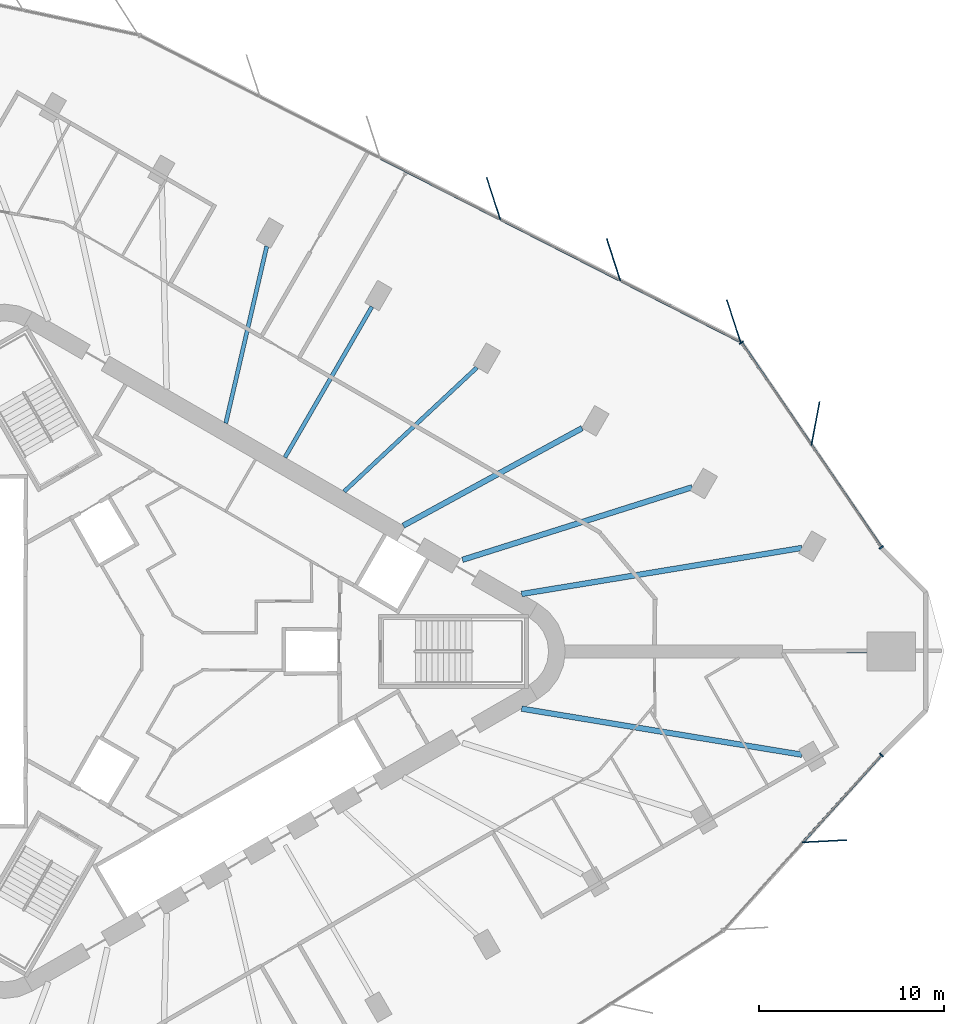
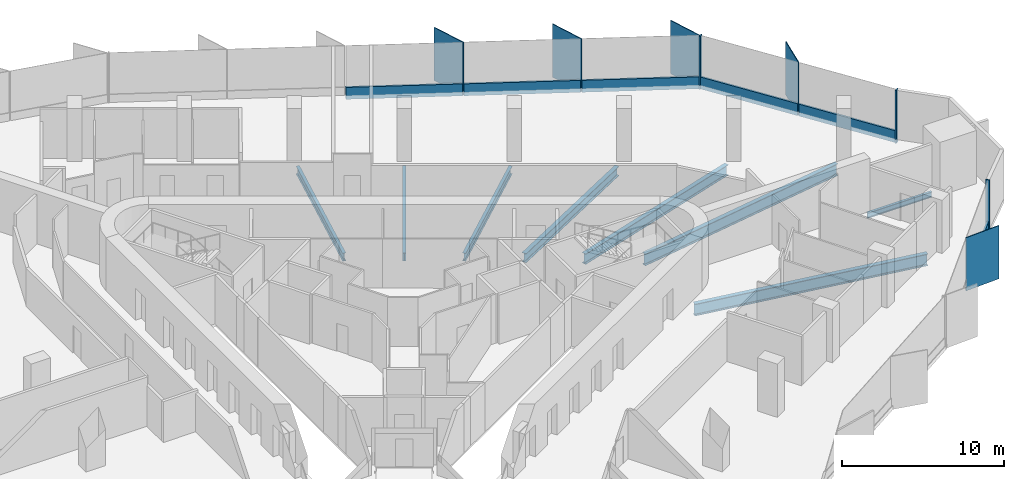
# One storey, part 5 of 14: 14 members, 8 beams, 3 elements without a shape of their own.
"""IFC4 building model written with IfcOpenShell, lengths in metres."""

import ifcopenshell
import ifcopenshell.guid

model = None  # the IFC model being written
_history = None  # IfcOwnerHistory: only IFC2X3 demands one
_inside = {}  # id of a spatial element -> (the spatial element, [elements in it])
_under = {}  # id of a project, library or spatial element -> (it, [spatial elements below it])
_declared = {}  # id of a project -> (the project, [libraries it declares])
_typed = {}  # id of a type object -> (the type object, [elements of that type])
_made_of = {}  # id of a material, layer set ... -> (it, [elements and type objects made of it])


def new_model(schema):
    """Start an empty IFC model of exactly this schema.

    Asked for "IFC4X3", IfcOpenShell would pick the latest addendum, in which some entities
    have other attributes; the version numbers below select the first issue.
    IFC2X3 requires an IfcOwnerHistory on every rooted entity: one is made here for all.
    """
    global model, _history
    if schema == "IFC4X3":
        model = ifcopenshell.file(schema_version=(4, 3, 0, 0))
    else:
        model = ifcopenshell.file(schema=schema)
    _inside.clear()
    _under.clear()
    _declared.clear()
    _typed.clear()
    _made_of.clear()
    _history = None
    if model.schema == "IFC2X3":
        org = make("IfcOrganization", Name="unknown")
        user = make(
            "IfcPersonAndOrganization",
            ThePerson=make("IfcPerson", FamilyName="unknown"),
            TheOrganization=org,
        )
        app = make(
            "IfcApplication",
            ApplicationDeveloper=org,
            Version="unknown",
            ApplicationFullName="unknown",
            ApplicationIdentifier="unknown",
        )
        _history = make(
            "IfcOwnerHistory",
            OwningUser=user,
            OwningApplication=app,
            ChangeAction="ADDED",
            CreationDate=0,
        )
    return model


def make(cls, **values):
    """One entity of the class cls with the attributes given. An attribute that is None is left unset."""
    return model.create_entity(
        cls, **{name: value for name, value in values.items() if value is not None}
    )


def rooted(cls, **values):
    """An entity with a GlobalId (a new one), such as an element, a storey or a relation."""
    return make(cls, GlobalId=ifcopenshell.guid.new(), OwnerHistory=_history, **values)


def si_unit(unit_type, name, prefix=None):
    """IfcSIUnit, for example si_unit("LENGTHUNIT", "METRE", prefix="MILLI")."""
    return make("IfcSIUnit", UnitType=unit_type, Prefix=prefix, Name=name)


def assignment(units):
    """IfcUnitAssignment: the units of a project."""
    return None if units is None else make("IfcUnitAssignment", Units=units)


def point(xyz):
    """IfcCartesianPoint."""
    return None if xyz is None else make("IfcCartesianPoint", Coordinates=xyz)


def direction(xyz):
    """IfcDirection."""
    return None if xyz is None else make("IfcDirection", DirectionRatios=xyz)


def frame(location, z_axis=None, x_axis=None):
    """IfcAxis2Placement3D, a coordinate frame: its origin and axes. An axis left out is left unset."""
    return make(
        "IfcAxis2Placement3D",
        Location=point(location),
        Axis=direction(z_axis),
        RefDirection=direction(x_axis),
    )


def frame_2d(location, x_axis=None):
    """IfcAxis2Placement2D, a coordinate frame in the plane: its origin and x axis."""
    return make(
        "IfcAxis2Placement2D", Location=point(location), RefDirection=direction(x_axis)
    )


def origin():
    """The frame at (0, 0, 0) with its axes left unset."""
    return frame((0.0, 0.0, 0.0))


def origin_2d():
    """The frame at (0, 0) in the plane with its x axis left unset."""
    return frame_2d((0.0, 0.0))


def place(relative_to, where):
    """IfcLocalPlacement: puts the frame where relative to a parent placement (None: the world)."""
    return make(
        "IfcLocalPlacement", PlacementRelTo=relative_to, RelativePlacement=where
    )


def context(
    kind, dimensions, precision=None, world=None, true_north=None, identifier=None
):
    """IfcGeometricRepresentationContext, for example the 3D "Model" context."""
    return make(
        "IfcGeometricRepresentationContext",
        ContextIdentifier=identifier,
        ContextType=kind,
        CoordinateSpaceDimension=dimensions,
        Precision=precision,
        WorldCoordinateSystem=world,
        TrueNorth=true_north,
    )


def subcontext(parent, identifier, kind, view, scale=None):
    """IfcGeometricRepresentationSubContext, for example "Body" below "Model"."""
    return make(
        "IfcGeometricRepresentationSubContext",
        ContextIdentifier=identifier,
        ContextType=kind,
        ParentContext=parent,
        TargetScale=scale,
        TargetView=view,
    )


def project(units=None, contexts=None):
    """IfcProject with its units and contexts."""
    return rooted(
        "IfcProject",
        Name="project",
        RepresentationContexts=contexts,
        UnitsInContext=assignment(units),
    )


def spatial(cls, under=None, at=None, **own):
    """A site, building, storey or space (cls), placed at a placement, below another one or the project."""
    s = rooted(cls, ObjectPlacement=at, **own)
    if under is not None:
        _under.setdefault(under.id(), (under, []))[1].append(s)
    return s


def profile(cls, at=None, kind="AREA", **sizes):
    """A parametric profile (cls). Its sizes go by their IFC names, for example OverallWidth=200.0."""
    return make(cls, ProfileType=kind, Position=at, **sizes)


def rectangle(**sizes):
    """IfcRectangleProfileDef."""
    return profile("IfcRectangleProfileDef", **sizes)


def i_section(**sizes):
    """IfcIShapeProfileDef."""
    return profile("IfcIShapeProfileDef", **sizes)


def extrude(swept, where, along, depth):
    """IfcExtrudedAreaSolid: the profile swept, set in the frame where, extruded along a direction by depth."""
    return make(
        "IfcExtrudedAreaSolid",
        SweptArea=swept,
        Position=where,
        ExtrudedDirection=direction(along),
        Depth=depth,
    )


def shape(context_of_items, identifier, shape_type, items):
    """IfcShapeRepresentation: the items that make up one representation, for example the "Body"."""
    return make(
        "IfcShapeRepresentation",
        ContextOfItems=context_of_items,
        RepresentationIdentifier=identifier,
        RepresentationType=shape_type,
        Items=items,
    )


def material(Name=None, Category=None):
    """IfcMaterial."""
    return make("IfcMaterial", Name=Name, Category=Category)


def material_profile(
    of_material, cross_section, Name=None, Category=None, Priority=None
):
    """IfcMaterialProfile: a cross section and its material."""
    return make(
        "IfcMaterialProfile",
        Name=Name,
        Material=of_material,
        Profile=cross_section,
        Priority=Priority,
        Category=Category,
    )


def profile_set(profiles, Name=None, composite=None):
    """IfcMaterialProfileSet."""
    return make(
        "IfcMaterialProfileSet",
        Name=Name,
        MaterialProfiles=profiles,
        CompositeProfile=composite,
    )


def made_of(thing, what):
    """Note that an element or type object is made of a material, layer set ...; save() writes the relation."""
    if what is not None:
        _made_of.setdefault(what.id(), (what, []))[1].append(thing)
    return thing


def type_object(cls, material=None, **own):
    """A type object (cls), such as IfcWallType, which elements share."""
    return made_of(rooted(cls, **own), material)


def element(
    cls,
    number,
    at=None,
    inside=None,
    cuts=None,
    type_object=None,
    material=None,
    context=None,
    identifier="Body",
    shape_type=None,
    held_by="IfcProductDefinitionShape",
    body=None,
    shapes=None,
    **own,
):
    """One element of the class cls, such as IfcWall. Its Tag is "e" and its number.

    at: its placement. inside: the storey or other place that contains it. cuts: it is an
    opening in that element (IfcRelVoidsElement). A single representation is given by context,
    identifier, shape_type and body (its items); several are given by shapes. held_by: the class
    of the entity that holds the representations. save() writes the other relations.
    """
    e = rooted(cls, Tag="e%d" % number, ObjectPlacement=at, **own)
    if body is not None:
        shapes = [shape(context, identifier, shape_type, body)]
    if shapes is not None:
        e.Representation = make(held_by, Representations=shapes)
    if inside is not None:
        _inside.setdefault(inside.id(), (inside, []))[1].append(e)
    if cuts is not None:
        rooted(
            "IfcRelVoidsElement", RelatingBuildingElement=cuts, RelatedOpeningElement=e
        )
    if type_object is not None:
        _typed.setdefault(type_object.id(), (type_object, []))[1].append(e)
    return made_of(e, material)


def aggregate(whole, parts):
    """IfcRelAggregates: a whole, such as a stair, and the parts it consists of."""
    return rooted("IfcRelAggregates", RelatingObject=whole, RelatedObjects=parts)


def save(model, path):
    """Write the relations noted so far, then the file.

    IfcRelAggregates (storeys below a building ...), IfcRelContainedInSpatialStructure (elements
    in a storey), IfcRelDefinesByType, IfcRelAssociatesMaterial and IfcRelDeclares: one each for
    every whole, place, type object, material and project.
    """
    for whole, parts in _under.values():
        aggregate(whole, parts)
    for where, things in _inside.values():
        rooted(
            "IfcRelContainedInSpatialStructure",
            RelatedElements=things,
            RelatingStructure=where,
        )
    for kind, things in _typed.values():
        rooted("IfcRelDefinesByType", RelatedObjects=things, RelatingType=kind)
    for what, things in _made_of.values():
        rooted("IfcRelAssociatesMaterial", RelatedObjects=things, RelatingMaterial=what)
    for by, libraries in _declared.values():
        rooted("IfcRelDeclares", RelatingContext=by, RelatedDefinitions=libraries)
    model.write(path)


model = new_model("IFC4")

# Units and contexts
model_context = context("Model", 3, precision=1e-05, world=origin(), true_north=direction((0.0, 1.0)))
body_context = subcontext(model_context, "Body", "Model", "MODEL_VIEW")
ifc_project = project(units=[si_unit("LENGTHUNIT", "METRE"), si_unit("AREAUNIT", "SQUARE_METRE"), si_unit("VOLUMEUNIT", "CUBIC_METRE"), si_unit("PLANEANGLEUNIT", "RADIAN"), si_unit("MASSUNIT", "GRAM", prefix="KILO")], contexts=[model_context])

# Site, building, storey
site_placement = place(None, origin())
site = spatial("IfcSite", under=ifc_project, at=site_placement, CompositionType="ELEMENT")
building_placement = place(site_placement, origin())
building = spatial("IfcBuilding", under=site, at=building_placement, Name="Tanit Gate Tower", CompositionType="ELEMENT")
storey_placement = place(building_placement, frame((0.0, 0.0, 209.199951171875)))
storey = spatial("IfcBuildingStorey", under=building, at=storey_placement, Name="L46", CompositionType="ELEMENT", Elevation=209.199951171875)

# Curtain wall, member
ifc_material_1 = material(Name="Aluminium bronze anodised and glass", Category="aluminium")
curtain_wall_type = type_object("IfcCurtainWallType", Name="Curtain wall typical mid", PredefinedType="NOTDEFINED", material=ifc_material_1)
curtain_wall_1_placement = place(storey_placement, origin())
curtain_wall_1 = element("IfcCurtainWall", 1, at=curtain_wall_1_placement, inside=storey, type_object=curtain_wall_type, Name="Curtain wall L46 NE1", PredefinedType="NOTDEFINED")
ifc_material_2 = material(Name="Aluminium bronze anodised", Category="aluminium")
ifc_material_profile_1 = material_profile(ifc_material_2, rectangle(XDim=2.39990234375, YDim=0.055908203125, at=origin_2d()), Name="56x2400 bronze fin mullion")
ifc_profile_set_1 = profile_set([ifc_material_profile_1], Name="Aluminium bronze anodised")
member_type_1 = type_object("IfcMemberType", Name="FIN MULLION 56x2400 bronze", PredefinedType="MULLION", material=ifc_profile_set_1)
member_1_placement = place(storey_placement, frame((34.7177734375, 12.304931640625, -0.300048828125), z_axis=(0.0, 0.0, 1.0), x_axis=(-0.185010170887, -0.982736605947, 0.0)))
member_1 = element("IfcMember", 2, at=member_1_placement, type_object=member_type_1, Name="Fin mullion L46 NE1.2", PredefinedType="MULLION", context=body_context, shape_type="SweptSolid", body=[
    extrude(rectangle(XDim=2.39990234375, YDim=0.055908203125, at=origin_2d()), origin(), (0.0, 0.0, 1.0), 4.0),
])

# Curtain wall, members
curtain_wall_2_placement = place(storey_placement, origin())
curtain_wall_2 = element("IfcCurtainWall", 3, at=curtain_wall_2_placement, inside=storey, type_object=curtain_wall_type, Name="Curtain wall L46 NE2", PredefinedType="NOTDEFINED")
member_2_placement = place(storey_placement, frame((30.298095703125, 17.8515625, -0.300048828125), z_axis=(0.0, 0.0, 1.0), x_axis=(0.308699841109, -0.95115950718, 0.0)))
member_2 = element("IfcMember", 4, at=member_2_placement, type_object=member_type_1, Name="Fin mullion L46 NE2.1", PredefinedType="MULLION", context=body_context, shape_type="SweptSolid", body=[
    extrude(rectangle(XDim=2.39990234375, YDim=0.055908203125, at=origin_2d()), origin(), (0.0, 0.0, 1.0), 4.0),
])
member_3_placement = place(storey_placement, frame((23.807373046875, 21.161376953125, -0.300048828125), z_axis=(0.0, 0.0, 1.0), x_axis=(0.308699841109, -0.95115950718, 0.0)))
member_3 = element("IfcMember", 5, at=member_3_placement, type_object=member_type_1, Name="Fin mullion L46 NE2.2", PredefinedType="MULLION", context=body_context, shape_type="SweptSolid", body=[
    extrude(rectangle(XDim=2.39990234375, YDim=0.055908203125, at=origin_2d()), origin(), (0.0, 0.0, 1.0), 4.0),
])
member_4_placement = place(storey_placement, frame((17.316650390625, 24.47119140625, -0.300048828125), z_axis=(0.0, 0.0, 1.0), x_axis=(0.308699841109, -0.95115950718, 0.0)))
member_4 = element("IfcMember", 6, at=member_4_placement, type_object=member_type_1, Name="Fin mullion L46 NE2.3", PredefinedType="MULLION", context=body_context, shape_type="SweptSolid", body=[
    extrude(rectangle(XDim=2.39990234375, YDim=0.055908203125, at=origin_2d()), origin(), (0.0, 0.0, 1.0), 4.0),
])

# Curtain wall, member
curtain_wall_3_placement = place(storey_placement, origin())
curtain_wall_3 = element("IfcCurtainWall", 7, at=curtain_wall_3_placement, inside=storey, type_object=curtain_wall_type, Name="Curtain wall L46 SE3", PredefinedType="NOTDEFINED")
member_5_placement = place(storey_placement, frame((35.2060546875, -10.260009765625, -0.300048828125), z_axis=(0.0, 0.0, 1.0), x_axis=(-0.998662240178, -0.051708123563, 0.0)))
member_5 = element("IfcMember", 8, at=member_5_placement, type_object=member_type_1, Name="Fin mullion L46 SE3.2", PredefinedType="MULLION", context=body_context, shape_type="SweptSolid", body=[
    extrude(rectangle(XDim=2.39990234375, YDim=0.055908203125, at=origin_2d()), origin(), (0.0, 0.0, 1.0), 4.0),
])

# Member
ifc_material_3 = material(Name="Aluminium bronze anodised", Category="aluminium")
ifc_material_profile_2 = material_profile(ifc_material_3, rectangle(XDim=0.260009765625, YDim=0.080078125, at=origin_2d()), Name="80x260 bronze mullion")
ifc_profile_set_2 = profile_set([ifc_material_profile_2], Name="Aluminium bronze anodised")
member_type_2 = type_object("IfcMemberType", Name="Mullion 80x260 typical mid", PredefinedType="MULLION", material=ifc_profile_set_2)
member_6_placement = place(storey_placement, frame((38.279296875, 5.61376953125, -0.300048828125), z_axis=(0.0, 0.0, 1.0), x_axis=(-0.825721664608, -0.564077771762, 0.0)))
member_6 = element("IfcMember", 9, at=member_6_placement, type_object=member_type_2, Name="Mullion L46 NE1.1", PredefinedType="MULLION", context=body_context, shape_type="SweptSolid", body=[
    extrude(rectangle(XDim=0.260009765625, YDim=0.080078125, at=origin_2d()), origin(), (0.0, 0.0, 1.0), 4.0),
])

member_7_placement = place(storey_placement, frame((30.719970703125, 16.67919921875, -0.300048828125), z_axis=(0.0, 0.0, 1.0), x_axis=(-0.825721664608, -0.564077771762, 0.0)))
member_7 = element("IfcMember", 10, at=member_7_placement, type_object=member_type_2, Name="Mullion L46 NE1.3", PredefinedType="MULLION", context=body_context, shape_type="SweptSolid", body=[
    extrude(rectangle(XDim=0.260009765625, YDim=0.080078125, at=origin_2d()), origin(), (0.0, 0.0, 1.0), 4.0),
])

member_8_placement = place(storey_placement, frame((38.28076171875, -5.604736328125, -0.300048828125), z_axis=(0.0, 0.0, 1.0), x_axis=(-0.742724006959, 0.669597677331, 0.0)))
member_8 = element("IfcMember", 11, at=member_8_placement, type_object=member_type_2, Name="Mullion L46 SE3.3", PredefinedType="MULLION", context=body_context, shape_type="SweptSolid", body=[
    extrude(rectangle(XDim=0.260009765625, YDim=0.080078125, at=origin_2d()), origin(), (0.0, 0.0, 1.0), 4.0),
])

# Beams
ifc_material_4 = material(Name="Steel S355", Category="steel")
ifc_material_profile_3 = material_profile(ifc_material_4, i_section(OverallWidth=0.300048828125, OverallDepth=0.68994140625, WebThickness=0.014404296875, FlangeThickness=0.027099609375, FilletRadius=0.027099609375, at=origin_2d()), Name="HEA 700")
ifc_profile_set_3 = profile_set([ifc_material_profile_3], Name="Steel S355")
beam_type_1 = type_object("IfcBeamType", Name="RADIAL GIRDER HEA 700 S355", PredefinedType="BEAM", material=ifc_profile_set_3)
beam_1_placement = place(storey_placement, frame((22.1064453125, 12.059326171875, -0.64501953125), z_axis=(-0.877879464436, -0.478881661709, 0.0), x_axis=(0.478881661709, -0.877879464436, 0.0)))
element("IfcBeam", 12, at=beam_1_placement, inside=storey, type_object=beam_type_1, Name="RADIAL GIRDER", PredefinedType="BEAM", context=body_context, shape_type="SweptSolid", body=[
    extrude(i_section(OverallWidth=0.300048828125, OverallDepth=0.68994140625, WebThickness=0.014404296875, FlangeThickness=0.027099609375, FilletRadius=0.027099609375, at=origin_2d()), origin(), (0.0, 0.0, 1.0), 11.00537109375),
])
ifc_material_5 = material(Name="Steel S355", Category="steel")
ifc_material_profile_4 = material_profile(ifc_material_5, i_section(OverallWidth=0.300048828125, OverallDepth=0.7900390625, WebThickness=0.014892578125, FlangeThickness=0.028076171875, FilletRadius=0.030029296875, at=origin_2d()), Name="HEA 800")
ifc_profile_set_4 = profile_set([ifc_material_profile_4], Name="Steel S355")
beam_type_2 = type_object("IfcBeamType", Name="RADIAL GIRDER HEA 800 S355", PredefinedType="BEAM", material=ifc_profile_set_4)
beam_2_placement = place(storey_placement, frame((28.054443359375, 8.86572265625, -0.695068359375), z_axis=(-0.953523689029, -0.301318061957, 0.0), x_axis=(0.301318061957, -0.953523689029, 0.0)))
element("IfcBeam", 13, at=beam_2_placement, inside=storey, type_object=beam_type_2, Name="RADIAL GIRDER", PredefinedType="BEAM", context=body_context, shape_type="SweptSolid", body=[
    extrude(i_section(OverallWidth=0.300048828125, OverallDepth=0.7900390625, WebThickness=0.014892578125, FlangeThickness=0.028076171875, FilletRadius=0.030029296875, at=origin_2d()), origin(), (0.0, 0.0, 1.0), 13.017333984375),
])
ifc_material_6 = material(Name="Steel S355", Category="steel")
ifc_material_profile_5 = material_profile(ifc_material_6, i_section(OverallWidth=0.300048828125, OverallDepth=0.889892578125, WebThickness=0.01611328125, FlangeThickness=0.030029296875, FilletRadius=0.030029296875, at=origin_2d()), Name="HEA 900")
ifc_profile_set_5 = profile_set([ifc_material_profile_5], Name="Steel S355")
beam_type_3 = type_object("IfcBeamType", Name="RADIAL GIRDER HEA 900 S355", PredefinedType="BEAM", material=ifc_profile_set_5)
for number, where, z_axis, x_axis, name in (
    (14, (33.979736328125, -5.5869140625, -0.744873046875), (-0.986750224089, 0.162246711091, 0.0), (-0.162246711091, -0.986750224089, 0.0), "RADIAL GIRDER"),
    (15, (33.979736328125, 5.5869140625, -0.744873046875), (-0.986750224089, -0.162246711091, 0.0), (0.162246711091, -0.986750224089, 0.0), "RADIAL GIRDER"),
):
    element("IfcBeam", number, at=place(storey_placement, frame(where, z_axis=z_axis, x_axis=x_axis)), inside=storey, type_object=beam_type_3, Name=name, PredefinedType="BEAM", context=body_context, shape_type="SweptSolid", body=[
        extrude(i_section(OverallWidth=0.300048828125, OverallDepth=0.889892578125, WebThickness=0.01611328125, FlangeThickness=0.030029296875, FilletRadius=0.030029296875, at=origin_2d()), origin(), (0.0, 0.0, 1.0), 15.343994140625),
    ])
ifc_material_7 = material(Name="Steel S355", Category="steel")
ifc_material_profile_6 = material_profile(ifc_material_7, i_section(OverallWidth=0.179931640625, OverallDepth=0.39990234375, WebThickness=0.008544921875, FlangeThickness=0.013427734375, FilletRadius=0.02099609375, at=origin_2d()), Name="IPE 400")
ifc_profile_set_6 = profile_set([ifc_material_profile_6], Name="Steel S355")
beam_type_4 = type_object("IfcBeamType", Name="RADIAL GIRDER IPE 400 S355", PredefinedType="BEAM", material=ifc_profile_set_6)
beam_3_placement = place(storey_placement, frame((37.510986328125, 0.0, -0.5), z_axis=(-1.0, 0.0, 0.0), x_axis=(0.0, -1.0, 0.0)))
element("IfcBeam", 16, at=beam_3_placement, inside=storey, type_object=beam_type_4, Name="RADIAL GIRDER", PredefinedType="BEAM", context=body_context, shape_type="SweptSolid", body=[
    extrude(i_section(OverallWidth=0.179931640625, OverallDepth=0.39990234375, WebThickness=0.008544921875, FlangeThickness=0.013427734375, FilletRadius=0.02099609375, at=origin_2d()), origin(), (0.0, 0.0, 1.0), 4.567138671875),
])
ifc_material_8 = material(Name="Steel S355", Category="steel")
ifc_material_profile_7 = material_profile(ifc_material_8, i_section(OverallWidth=0.219970703125, OverallDepth=0.60009765625, WebThickness=0.011962890625, FlangeThickness=0.01904296875, FilletRadius=0.02392578125, at=origin_2d()), Name="IPE 600")
ifc_profile_set_7 = profile_set([ifc_material_profile_7], Name="Steel S355")
beam_type_5 = type_object("IfcBeamType", Name="RADIAL GIRDER IPE 600 S355", PredefinedType="BEAM", material=ifc_profile_set_7)
beam_4_placement = place(storey_placement, frame((16.427490234375, 15.338134765625, -0.599853515625), z_axis=(-0.730925486912, -0.68245727528, 0.0), x_axis=(0.68245727528, -0.730925486912, 0.0)))
element("IfcBeam", 17, at=beam_4_placement, inside=storey, type_object=beam_type_5, Name="RADIAL GIRDER", PredefinedType="BEAM", context=body_context, shape_type="SweptSolid", body=[
    extrude(i_section(OverallWidth=0.219970703125, OverallDepth=0.60009765625, WebThickness=0.011962890625, FlangeThickness=0.01904296875, FilletRadius=0.02392578125, at=origin_2d()), origin(), (0.0, 0.0, 1.0), 9.822509765625),
])
beam_5_placement = place(storey_placement, frame((10.74853515625, 18.616943359375, -0.599853515625), z_axis=(-0.500004383815, -0.866022872773, 0.0), x_axis=(0.866022872773, -0.500004383815, 0.0)))
element("IfcBeam", 18, at=beam_5_placement, inside=storey, type_object=beam_type_5, Name="RADIAL GIRDER", PredefinedType="BEAM", context=body_context, shape_type="SweptSolid", body=[
    extrude(i_section(OverallWidth=0.219970703125, OverallDepth=0.60009765625, WebThickness=0.011962890625, FlangeThickness=0.01904296875, FilletRadius=0.02392578125, at=origin_2d()), origin(), (0.0, 0.0, 1.0), 9.39501953125),
])
beam_6_placement = place(storey_placement, frame((5.069580078125, 21.8955078125, -0.599853515625), z_axis=(-0.225567421981, -0.974227559732, 0.0), x_axis=(0.974227559732, -0.225567421981, 0.0)))
element("IfcBeam", 19, at=beam_6_placement, inside=storey, type_object=beam_type_5, Name="RADIAL GIRDER", PredefinedType="BEAM", context=body_context, shape_type="SweptSolid", body=[
    extrude(i_section(OverallWidth=0.219970703125, OverallDepth=0.60009765625, WebThickness=0.011962890625, FlangeThickness=0.01904296875, FilletRadius=0.02392578125, at=origin_2d()), origin(), (0.0, 0.0, 1.0), 9.822265625),
])

# Member
ifc_material_9 = material(Name="Aluminium bronze anodised", Category="aluminium")
ifc_material_profile_8 = material_profile(ifc_material_9, rectangle(XDim=0.139892578125, YDim=0.89990234375, at=origin_2d()), Name="140x900 bronze transom")
ifc_profile_set_8 = profile_set([ifc_material_profile_8], Name="Aluminium bronze anodised")
member_type_3 = type_object("IfcMemberType", Name="Transom 140x900 typical mid", PredefinedType="USERDEFINED", material=ifc_profile_set_8)
member_9_placement = place(storey_placement, frame((38.256591796875, 5.646728515625, 0.150146484375), z_axis=(-0.564076955516, 0.825722222213, 0.0), x_axis=(-0.825722222213, -0.564076955516, 0.0)))
member_9 = element("IfcMember", 20, at=member_9_placement, type_object=member_type_3, Name="Transom L46 NE1.1", ObjectType="TRANSOM", PredefinedType="USERDEFINED", context=body_context, shape_type="SweptSolid", body=[
    extrude(rectangle(XDim=0.139892578125, YDim=0.89990234375, at=origin_2d()), origin(), (0.0, 0.0, 1.0), 6.620361328125),
])

member_10_placement = place(storey_placement, frame((34.47705078125, 11.179443359375, 0.150146484375), z_axis=(-0.564059779491, 0.825733955437, 0.0), x_axis=(-0.825733955437, -0.564059779491, 0.0)))
member_10 = element("IfcMember", 21, at=member_10_placement, type_object=member_type_3, Name="Transom L46 NE1.2", ObjectType="TRANSOM", PredefinedType="USERDEFINED", context=body_context, shape_type="SweptSolid", body=[
    extrude(rectangle(XDim=0.139892578125, YDim=0.89990234375, at=origin_2d()), origin(), (0.0, 0.0, 1.0), 6.62060546875),
])

aggregate(curtain_wall_1, [member_6, member_1, member_7, member_9, member_10])

member_11_placement = place(storey_placement, frame((30.626220703125, 16.74853515625, 0.150146484375), z_axis=(-0.890862057328, 0.454273920463, 0.0), x_axis=(-0.454273920463, -0.890862057328, 0.0)))
member_11 = element("IfcMember", 22, at=member_11_placement, type_object=member_type_3, Name="Transom L46 NE2.1", ObjectType="TRANSOM", PredefinedType="USERDEFINED", context=body_context, shape_type="SweptSolid", body=[
    extrude(rectangle(XDim=0.139892578125, YDim=0.89990234375, at=origin_2d()), origin(), (0.0, 0.0, 1.0), 7.205810546875),
])

member_12_placement = place(storey_placement, frame((24.135498046875, 20.058349609375, 0.150146484375), z_axis=(-0.890841352882, 0.454314521005, 0.0), x_axis=(-0.454314521005, -0.890841352882, 0.0)))
member_12 = element("IfcMember", 23, at=member_12_placement, type_object=member_type_3, Name="Transom L46 NE2.2", ObjectType="TRANSOM", PredefinedType="USERDEFINED", context=body_context, shape_type="SweptSolid", body=[
    extrude(rectangle(XDim=0.139892578125, YDim=0.89990234375, at=origin_2d()), origin(), (0.0, 0.0, 1.0), 7.205810546875),
])

member_13_placement = place(storey_placement, frame((17.64501953125, 23.3681640625, 0.150146484375), z_axis=(-0.890848345725, 0.454300808847, 0.0), x_axis=(-0.454300808847, -0.890848345725, 0.0)))
member_13 = element("IfcMember", 24, at=member_13_placement, type_object=member_type_3, Name="Transom L46 NE2.3", ObjectType="TRANSOM", PredefinedType="USERDEFINED", context=body_context, shape_type="SweptSolid", body=[
    extrude(rectangle(XDim=0.139892578125, YDim=0.89990234375, at=origin_2d()), origin(), (0.0, 0.0, 1.0), 7.2060546875),
])

aggregate(curtain_wall_2, [member_2, member_3, member_4, member_11, member_12, member_13])

member_14_placement = place(storey_placement, frame((34.0556640625, -10.291259765625, 0.150146484375), z_axis=(0.669577615986, 0.742742092634, 0.0), x_axis=(-0.742742092634, 0.669577615986, 0.0)))
member_14 = element("IfcMember", 25, at=member_14_placement, type_object=member_type_3, Name="Transom L46 SE3.2", ObjectType="TRANSOM", PredefinedType="USERDEFINED", context=body_context, shape_type="SweptSolid", body=[
    extrude(rectangle(XDim=0.139892578125, YDim=0.89990234375, at=origin_2d()), origin(), (0.0, 0.0, 1.0), 6.27001953125),
])

aggregate(curtain_wall_3, [member_5, member_8, member_14])

save(model, "model.ifc")
